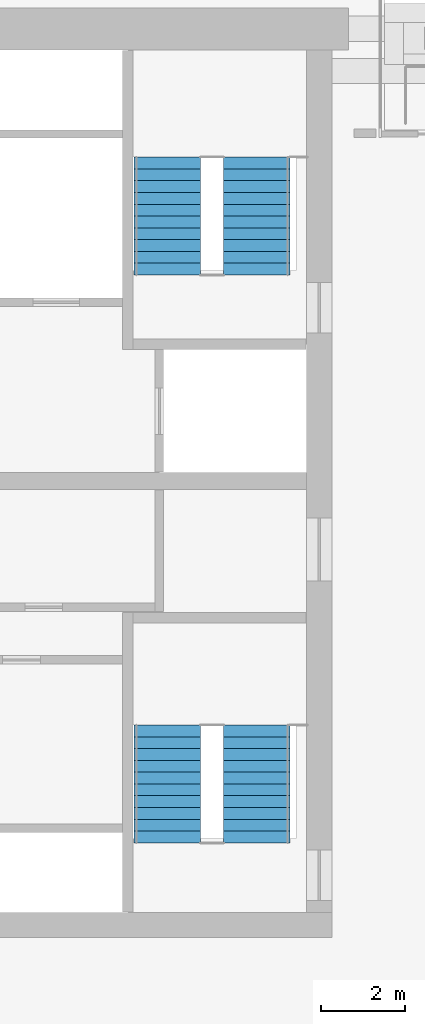
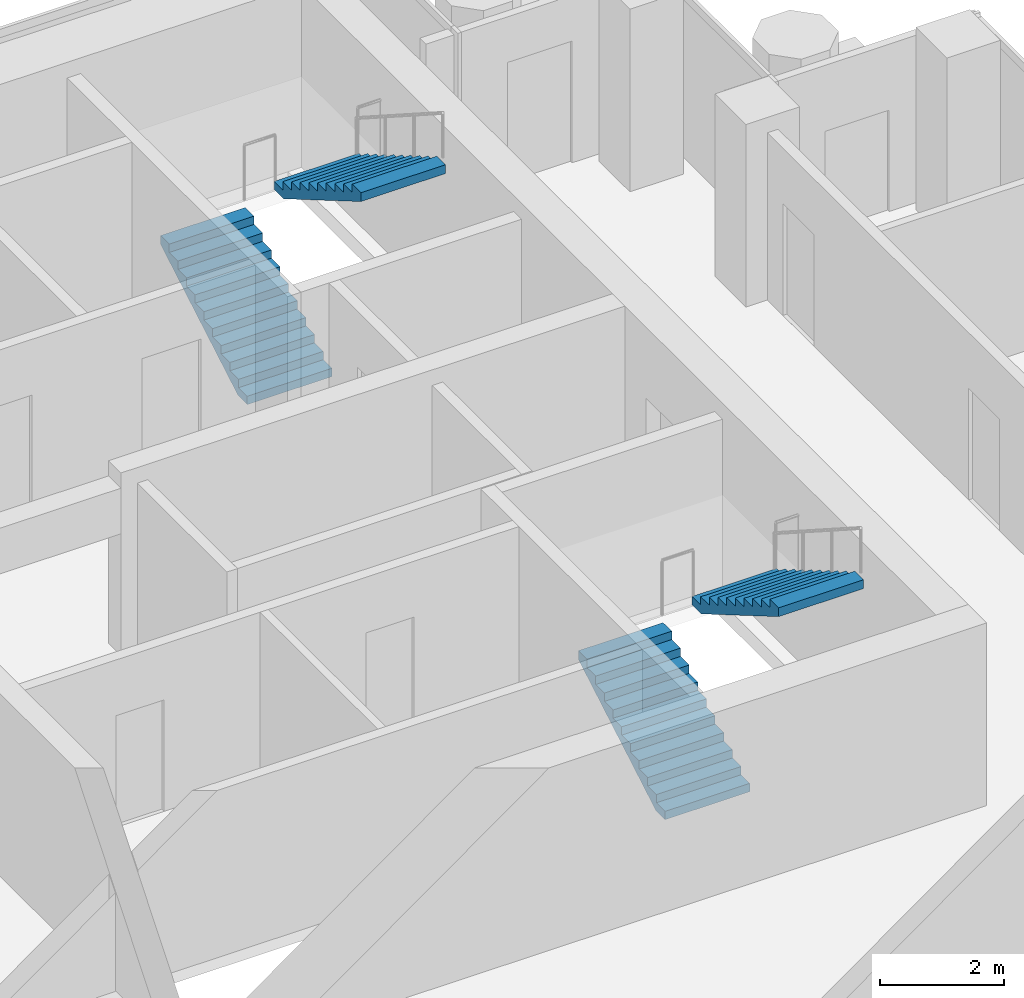
# One storey, part 15 of 18: 4 stair flights, 2 elements without a shape of their own.
"""IFC4 building model written with IfcOpenShell, lengths in metres."""

import ifcopenshell
import ifcopenshell.guid

model = None  # the IFC model being written
_history = None  # IfcOwnerHistory: only IFC2X3 demands one
_inside = {}  # id of a spatial element -> (the spatial element, [elements in it])
_under = {}  # id of a project, library or spatial element -> (it, [spatial elements below it])
_declared = {}  # id of a project -> (the project, [libraries it declares])
_typed = {}  # id of a type object -> (the type object, [elements of that type])
_made_of = {}  # id of a material, layer set ... -> (it, [elements and type objects made of it])


def new_model(schema):
    """Start an empty IFC model of exactly this schema.

    Asked for "IFC4X3", IfcOpenShell would pick the latest addendum, in which some entities
    have other attributes; the version numbers below select the first issue.
    IFC2X3 requires an IfcOwnerHistory on every rooted entity: one is made here for all.
    """
    global model, _history
    if schema == "IFC4X3":
        model = ifcopenshell.file(schema_version=(4, 3, 0, 0))
    else:
        model = ifcopenshell.file(schema=schema)
    _inside.clear()
    _under.clear()
    _declared.clear()
    _typed.clear()
    _made_of.clear()
    _history = None
    if model.schema == "IFC2X3":
        org = make("IfcOrganization", Name="unknown")
        user = make(
            "IfcPersonAndOrganization",
            ThePerson=make("IfcPerson", FamilyName="unknown"),
            TheOrganization=org,
        )
        app = make(
            "IfcApplication",
            ApplicationDeveloper=org,
            Version="unknown",
            ApplicationFullName="unknown",
            ApplicationIdentifier="unknown",
        )
        _history = make(
            "IfcOwnerHistory",
            OwningUser=user,
            OwningApplication=app,
            ChangeAction="ADDED",
            CreationDate=0,
        )
    return model


def make(cls, **values):
    """One entity of the class cls with the attributes given. An attribute that is None is left unset."""
    return model.create_entity(
        cls, **{name: value for name, value in values.items() if value is not None}
    )


def rooted(cls, **values):
    """An entity with a GlobalId (a new one), such as an element, a storey or a relation."""
    return make(cls, GlobalId=ifcopenshell.guid.new(), OwnerHistory=_history, **values)


def si_unit(unit_type, name, prefix=None):
    """IfcSIUnit, for example si_unit("LENGTHUNIT", "METRE", prefix="MILLI")."""
    return make("IfcSIUnit", UnitType=unit_type, Prefix=prefix, Name=name)


def assignment(units):
    """IfcUnitAssignment: the units of a project."""
    return None if units is None else make("IfcUnitAssignment", Units=units)


def point(xyz):
    """IfcCartesianPoint."""
    return None if xyz is None else make("IfcCartesianPoint", Coordinates=xyz)


def direction(xyz):
    """IfcDirection."""
    return None if xyz is None else make("IfcDirection", DirectionRatios=xyz)


def frame(location, z_axis=None, x_axis=None):
    """IfcAxis2Placement3D, a coordinate frame: its origin and axes. An axis left out is left unset."""
    return make(
        "IfcAxis2Placement3D",
        Location=point(location),
        Axis=direction(z_axis),
        RefDirection=direction(x_axis),
    )


def origin():
    """The frame at (0, 0, 0) with its axes left unset."""
    return frame((0.0, 0.0, 0.0))


def place(relative_to, where):
    """IfcLocalPlacement: puts the frame where relative to a parent placement (None: the world)."""
    return make(
        "IfcLocalPlacement", PlacementRelTo=relative_to, RelativePlacement=where
    )


def context(
    kind, dimensions, precision=None, world=None, true_north=None, identifier=None
):
    """IfcGeometricRepresentationContext, for example the 3D "Model" context."""
    return make(
        "IfcGeometricRepresentationContext",
        ContextIdentifier=identifier,
        ContextType=kind,
        CoordinateSpaceDimension=dimensions,
        Precision=precision,
        WorldCoordinateSystem=world,
        TrueNorth=true_north,
    )


def subcontext(parent, identifier, kind, view, scale=None):
    """IfcGeometricRepresentationSubContext, for example "Body" below "Model"."""
    return make(
        "IfcGeometricRepresentationSubContext",
        ContextIdentifier=identifier,
        ContextType=kind,
        ParentContext=parent,
        TargetScale=scale,
        TargetView=view,
    )


def project(units=None, contexts=None):
    """IfcProject with its units and contexts."""
    return rooted(
        "IfcProject",
        Name="project",
        RepresentationContexts=contexts,
        UnitsInContext=assignment(units),
    )


def spatial(cls, under=None, at=None, **own):
    """A site, building, storey or space (cls), placed at a placement, below another one or the project."""
    s = rooted(cls, ObjectPlacement=at, **own)
    if under is not None:
        _under.setdefault(under.id(), (under, []))[1].append(s)
    return s


def polyline(points):
    """IfcPolyline through the points."""
    return make("IfcPolyline", Points=[point(p) for p in points])


def outline(outer, holes=None, kind="AREA"):
    """IfcArbitraryClosedProfileDef: a profile drawn as a closed curve; with holes, ...WithVoids."""
    if holes is None:
        return make("IfcArbitraryClosedProfileDef", ProfileType=kind, OuterCurve=outer)
    return make(
        "IfcArbitraryProfileDefWithVoids",
        ProfileType=kind,
        OuterCurve=outer,
        InnerCurves=holes,
    )


def extrude(swept, where, along, depth):
    """IfcExtrudedAreaSolid: the profile swept, set in the frame where, extruded along a direction by depth."""
    return make(
        "IfcExtrudedAreaSolid",
        SweptArea=swept,
        Position=where,
        ExtrudedDirection=direction(along),
        Depth=depth,
    )


def shape(context_of_items, identifier, shape_type, items):
    """IfcShapeRepresentation: the items that make up one representation, for example the "Body"."""
    return make(
        "IfcShapeRepresentation",
        ContextOfItems=context_of_items,
        RepresentationIdentifier=identifier,
        RepresentationType=shape_type,
        Items=items,
    )


def material(Name=None, Category=None):
    """IfcMaterial."""
    return make("IfcMaterial", Name=Name, Category=Category)


def made_of(thing, what):
    """Note that an element or type object is made of a material, layer set ...; save() writes the relation."""
    if what is not None:
        _made_of.setdefault(what.id(), (what, []))[1].append(thing)
    return thing


def type_object(cls, material=None, **own):
    """A type object (cls), such as IfcWallType, which elements share."""
    return made_of(rooted(cls, **own), material)


def element(
    cls,
    number,
    at=None,
    inside=None,
    cuts=None,
    type_object=None,
    material=None,
    context=None,
    identifier="Body",
    shape_type=None,
    held_by="IfcProductDefinitionShape",
    body=None,
    shapes=None,
    **own,
):
    """One element of the class cls, such as IfcWall. Its Tag is "e" and its number.

    at: its placement. inside: the storey or other place that contains it. cuts: it is an
    opening in that element (IfcRelVoidsElement). A single representation is given by context,
    identifier, shape_type and body (its items); several are given by shapes. held_by: the class
    of the entity that holds the representations. save() writes the other relations.
    """
    e = rooted(cls, Tag="e%d" % number, ObjectPlacement=at, **own)
    if body is not None:
        shapes = [shape(context, identifier, shape_type, body)]
    if shapes is not None:
        e.Representation = make(held_by, Representations=shapes)
    if inside is not None:
        _inside.setdefault(inside.id(), (inside, []))[1].append(e)
    if cuts is not None:
        rooted(
            "IfcRelVoidsElement", RelatingBuildingElement=cuts, RelatedOpeningElement=e
        )
    if type_object is not None:
        _typed.setdefault(type_object.id(), (type_object, []))[1].append(e)
    return made_of(e, material)


def aggregate(whole, parts):
    """IfcRelAggregates: a whole, such as a stair, and the parts it consists of."""
    return rooted("IfcRelAggregates", RelatingObject=whole, RelatedObjects=parts)


def save(model, path):
    """Write the relations noted so far, then the file.

    IfcRelAggregates (storeys below a building ...), IfcRelContainedInSpatialStructure (elements
    in a storey), IfcRelDefinesByType, IfcRelAssociatesMaterial and IfcRelDeclares: one each for
    every whole, place, type object, material and project.
    """
    for whole, parts in _under.values():
        aggregate(whole, parts)
    for where, things in _inside.values():
        rooted(
            "IfcRelContainedInSpatialStructure",
            RelatedElements=things,
            RelatingStructure=where,
        )
    for kind, things in _typed.values():
        rooted("IfcRelDefinesByType", RelatedObjects=things, RelatingType=kind)
    for what, things in _made_of.values():
        rooted("IfcRelAssociatesMaterial", RelatedObjects=things, RelatingMaterial=what)
    for by, libraries in _declared.values():
        rooted("IfcRelDeclares", RelatingContext=by, RelatedDefinitions=libraries)
    model.write(path)


model = new_model("IFC4")

# Units and contexts
model_context = context("Model", 3, precision=1e-05, world=origin(), true_north=direction((0.0, 1.0)))
body_context = subcontext(model_context, "Body", "Model", "MODEL_VIEW")
ifc_project = project(units=[si_unit("LENGTHUNIT", "METRE"), si_unit("AREAUNIT", "SQUARE_METRE"), si_unit("VOLUMEUNIT", "CUBIC_METRE"), si_unit("PLANEANGLEUNIT", "RADIAN"), si_unit("MASSUNIT", "GRAM", prefix="KILO")], contexts=[model_context])

# Site, building, storey
site_placement = place(None, origin())
site = spatial("IfcSite", under=ifc_project, at=site_placement, CompositionType="ELEMENT")
building_placement = place(site_placement, origin())
building = spatial("IfcBuilding", under=site, at=building_placement, Name="Pilkhan Gate Tower", CompositionType="ELEMENT")
storey_placement = place(building_placement, frame((0.0, 0.0, 199.5)))
storey = spatial("IfcBuildingStorey", under=building, at=storey_placement, Name="L51", CompositionType="ELEMENT", Elevation=199.5)

# Stair, stair flights
ifc_material = material(Name="Concrete C40/50 precast", Category="concrete")
stair_type_1 = type_object("IfcStairType", Name="Stair ST1 164x280", PredefinedType="HALF_TURN_STAIR", material=ifc_material)
stair_1_placement = place(storey_placement, origin())
stair_1 = element("IfcStair", 1, at=stair_1_placement, inside=storey, type_object=stair_type_1, Name="Stair ST1 L51", PredefinedType="HALF_TURN_STAIR")
stair_flight_type_1 = type_object("IfcStairFlightType", Name="Stair flight ST1 164x280x11", PredefinedType="STRAIGHT", material=ifc_material)
stair_flight_1_placement = place(storey_placement, frame((85.68994140625, 73.89990234375, 0.0), z_axis=(0.0, 0.0, 1.0), x_axis=(0.0, 1.0, 0.0)))
stair_flight_1 = element("IfcStairFlight", 2, at=stair_flight_1_placement, type_object=stair_flight_type_1, Name="ST1 flight 1", NumberOfRisers=11, NumberOfTreads=10, PredefinedType="STRAIGHT", RiserHeight=0.163636364, TreadLength=0.28, context=body_context, shape_type="SweptSolid", body=[
    extrude(outline(polyline([(0.0, 0.0), (0.0, 0.16357421875), (0.280029296875, 0.16357421875), (0.280029296875, 0.327392578125), (0.56005859375, 0.327392578125), (0.56005859375, 0.490966796875), (0.840087890625, 0.490966796875), (0.840087890625, 0.654541015625), (1.1201171875, 0.654541015625), (1.1201171875, 0.818115234375), (1.39990234375, 0.818115234375), (1.39990234375, 0.98193359375), (1.679931640625, 0.98193359375), (1.679931640625, 1.1455078125), (1.9599609375, 1.1455078125), (1.9599609375, 1.30908203125), (2.239990234375, 1.30908203125), (2.239990234375, 1.47265625), (2.52001953125, 1.47265625), (2.52001953125, 1.636474609375), (2.800048828125, 1.636474609375), (2.800048828125, 1.800048828125), (2.800048828125, 1.462646484375), (0.297119140625, 0.0), (0.0, 0.0)])), frame((0.0, 0.7900390625, 0.0), z_axis=(0.0, -1.0, 0.0), x_axis=(1.0, 0.0, 0.0)), (0.0, 0.0, 1.0), 1.580078125),
])
stair_flight_2_placement = place(storey_placement, frame((87.81005859375, 76.699951171875, 1.800048828125), z_axis=(0.0, 0.0, 1.0), x_axis=(0.0, -1.0, 0.0)))
stair_flight_2 = element("IfcStairFlight", 3, at=stair_flight_2_placement, type_object=stair_flight_type_1, Name="ST1 flight 2", NumberOfRisers=11, NumberOfTreads=10, PredefinedType="STRAIGHT", RiserHeight=0.163636364, TreadLength=0.28, context=body_context, shape_type="SweptSolid", body=[
    extrude(outline(polyline([(0.0, 0.0), (0.0, 0.16357421875), (0.280029296875, 0.16357421875), (0.280029296875, 0.327392578125), (0.56005859375, 0.327392578125), (0.56005859375, 0.490966796875), (0.840087890625, 0.490966796875), (0.840087890625, 0.654541015625), (1.1201171875, 0.654541015625), (1.1201171875, 0.818115234375), (1.39990234375, 0.818115234375), (1.39990234375, 0.98193359375), (1.679931640625, 0.98193359375), (1.679931640625, 1.1455078125), (1.9599609375, 1.1455078125), (1.9599609375, 1.30908203125), (2.239990234375, 1.30908203125), (2.239990234375, 1.47265625), (2.52001953125, 1.47265625), (2.52001953125, 1.636474609375), (2.800048828125, 1.636474609375), (2.800048828125, 1.800048828125), (2.800048828125, 1.462646484375), (0.297119140625, 0.0), (0.0, 0.0)])), frame((0.0, 0.7900390625, 0.0), z_axis=(0.0, -1.0, 0.0), x_axis=(1.0, 0.0, 0.0)), (0.0, 0.0, 1.0), 1.580078125),
])
aggregate(stair_1, [stair_flight_1, stair_flight_2])

stair_type_2 = type_object("IfcStairType", Name="Stair ST4 164x280", PredefinedType="HALF_TURN_STAIR", material=ifc_material)
stair_2_placement = place(storey_placement, origin())
stair_2 = element("IfcStair", 4, at=stair_2_placement, inside=storey, type_object=stair_type_2, Name="Stair ST4 L51", PredefinedType="HALF_TURN_STAIR")
stair_flight_type_2 = type_object("IfcStairFlightType", Name="Stair flight ST4 164x280x11", PredefinedType="STRAIGHT", material=ifc_material)
stair_flight_3_placement = place(storey_placement, frame((85.68994140625, 87.39990234375, 0.0), z_axis=(0.0, 0.0, 1.0), x_axis=(0.0, 1.0, 0.0)))
stair_flight_3 = element("IfcStairFlight", 5, at=stair_flight_3_placement, type_object=stair_flight_type_2, Name="ST4 flight 1", NumberOfRisers=11, NumberOfTreads=10, PredefinedType="STRAIGHT", RiserHeight=0.163636364, TreadLength=0.28, context=body_context, shape_type="SweptSolid", body=[
    extrude(outline(polyline([(0.0, 0.0), (0.0, 0.16357421875), (0.280029296875, 0.16357421875), (0.280029296875, 0.327392578125), (0.56005859375, 0.327392578125), (0.56005859375, 0.490966796875), (0.840087890625, 0.490966796875), (0.840087890625, 0.654541015625), (1.1201171875, 0.654541015625), (1.1201171875, 0.818115234375), (1.39990234375, 0.818115234375), (1.39990234375, 0.98193359375), (1.679931640625, 0.98193359375), (1.679931640625, 1.1455078125), (1.9599609375, 1.1455078125), (1.9599609375, 1.30908203125), (2.239990234375, 1.30908203125), (2.239990234375, 1.47265625), (2.52001953125, 1.47265625), (2.52001953125, 1.636474609375), (2.800048828125, 1.636474609375), (2.800048828125, 1.800048828125), (2.800048828125, 1.462646484375), (0.297119140625, 0.0), (0.0, 0.0)])), frame((0.0, 0.7900390625, 0.0), z_axis=(0.0, -1.0, 0.0), x_axis=(1.0, 0.0, 0.0)), (0.0, 0.0, 1.0), 1.580078125),
])
stair_flight_4_placement = place(storey_placement, frame((87.81005859375, 90.199951171875, 1.800048828125), z_axis=(0.0, 0.0, 1.0), x_axis=(0.0, -1.0, 0.0)))
stair_flight_4 = element("IfcStairFlight", 6, at=stair_flight_4_placement, type_object=stair_flight_type_2, Name="ST4 flight 2", NumberOfRisers=11, NumberOfTreads=10, PredefinedType="STRAIGHT", RiserHeight=0.163636364, TreadLength=0.28, context=body_context, shape_type="SweptSolid", body=[
    extrude(outline(polyline([(0.0, 0.0), (0.0, 0.16357421875), (0.280029296875, 0.16357421875), (0.280029296875, 0.327392578125), (0.56005859375, 0.327392578125), (0.56005859375, 0.490966796875), (0.840087890625, 0.490966796875), (0.840087890625, 0.654541015625), (1.1201171875, 0.654541015625), (1.1201171875, 0.818115234375), (1.39990234375, 0.818115234375), (1.39990234375, 0.98193359375), (1.679931640625, 0.98193359375), (1.679931640625, 1.1455078125), (1.9599609375, 1.1455078125), (1.9599609375, 1.30908203125), (2.239990234375, 1.30908203125), (2.239990234375, 1.47265625), (2.52001953125, 1.47265625), (2.52001953125, 1.636474609375), (2.800048828125, 1.636474609375), (2.800048828125, 1.800048828125), (2.800048828125, 1.462646484375), (0.297119140625, 0.0), (0.0, 0.0)])), frame((0.0, 0.7900390625, 0.0), z_axis=(0.0, -1.0, 0.0), x_axis=(1.0, 0.0, 0.0)), (0.0, 0.0, 1.0), 1.580078125),
])
aggregate(stair_2, [stair_flight_3, stair_flight_4])

save(model, "model.ifc")
